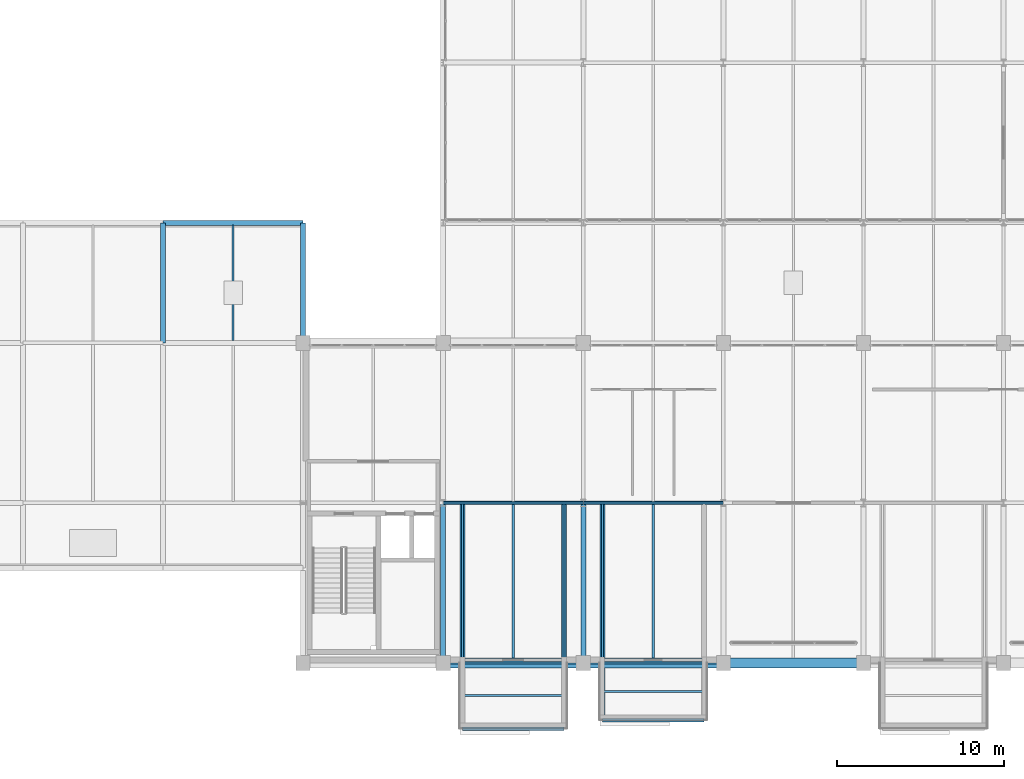
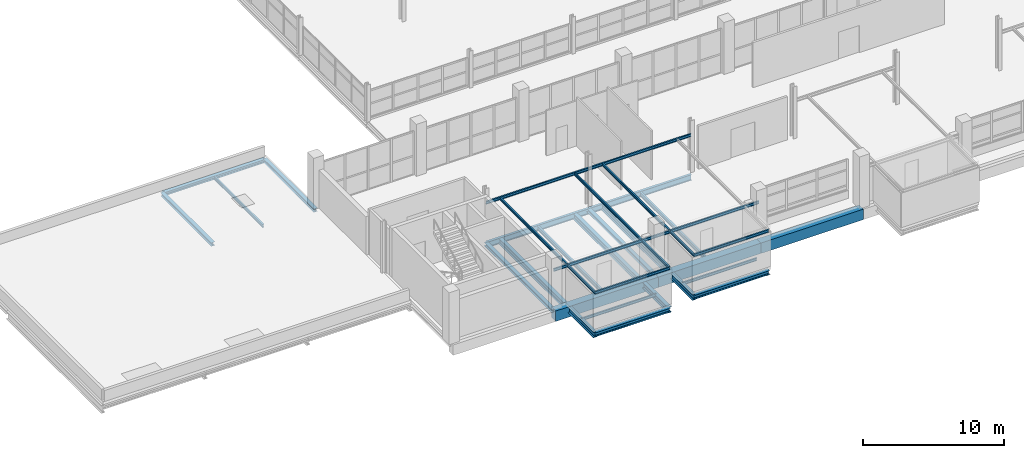
# One storey, part 13 of 103: 29 beams.
"""IFC4 building model written with IfcOpenShell, lengths in metres."""

from ifc_helpers import new_model, si_unit, direction, frame, origin, origin_2d, place, context, subcontext, project, spatial, rectangle, i_section, extrude, material, material_profile, profile_set, type_object, element, save


model = new_model("IFC4")

# Units and contexts
model_context = context("Model", 3, precision=1e-05, world=origin(), true_north=direction((0.0, 1.0)))
body_context = subcontext(model_context, "Body", "Model", "MODEL_VIEW")
ifc_project = project(units=[si_unit("LENGTHUNIT", "METRE"), si_unit("AREAUNIT", "SQUARE_METRE"), si_unit("VOLUMEUNIT", "CUBIC_METRE"), si_unit("PLANEANGLEUNIT", "RADIAN"), si_unit("MASSUNIT", "GRAM", prefix="KILO")], contexts=[model_context])

# Site, building, storey
site_placement = place(None, origin())
site = spatial("IfcSite", under=ifc_project, at=site_placement, CompositionType="ELEMENT")
building_placement = place(site_placement, origin())
building = spatial("IfcBuilding", under=site, at=building_placement, Name="Veltarok Museum of Natural Sciences", CompositionType="ELEMENT")
storey_placement = place(building_placement, frame((0.0, 0.0, 21.89990234375)))
storey = spatial("IfcBuildingStorey", under=building, at=storey_placement, Name="L04", CompositionType="ELEMENT", Elevation=21.89990234375)

# Beams
ifc_material_1 = material(Name="Steel S355J2", Category="steel")
ifc_material_profile_1 = material_profile(ifc_material_1, i_section(OverallWidth=0.300048828125, OverallDepth=0.5, WebThickness=0.014404296875, FlangeThickness=0.028076171875, FilletRadius=0.027099609375, at=origin_2d()), Name="HEB 500")
ifc_profile_set_1 = profile_set([ifc_material_profile_1], Name="Steel S355J2")
beam_type_1 = type_object("IfcBeamType", Name="Cabinet Box Cantilever Girder HEB 500", PredefinedType="BEAM", material=ifc_profile_set_1)
for number, where, z_axis, x_axis, name in (
    (1, (41.14990234375, -3.89990234375, -0.5), (0.0, 1.0, 0.0), (-1.0, 0.0, 0.0), "Cabinet Cantilever Girder DB-19-1"),
    (2, (47.25, -3.89990234375, -0.5), (0.0, 1.0, 0.0), (-1.0, 0.0, 0.0), "Cabinet Cantilever Girder DB-19-2"),
):
    element("IfcBeam", number, at=place(storey_placement, frame(where, z_axis=z_axis, x_axis=x_axis)), inside=storey, type_object=beam_type_1, Name=name, PredefinedType="BEAM", context=body_context, shape_type="SweptSolid", body=[
        extrude(i_section(OverallWidth=0.300048828125, OverallDepth=0.5, WebThickness=0.014404296875, FlangeThickness=0.028076171875, FilletRadius=0.027099609375, at=origin_2d()), origin(), (0.0, 0.0, 1.0), 13.5),
    ])
beam_1_placement = place(storey_placement, frame((49.550048828125, -3.39990234375, -0.5), z_axis=(0.0, 1.0, 0.0), x_axis=(-1.0, 0.0, 0.0)))
element("IfcBeam", 3, at=beam_1_placement, inside=storey, type_object=beam_type_1, Name="Cabinet Cantilever Girder DB-20-1", PredefinedType="BEAM", context=body_context, shape_type="SweptSolid", body=[
    extrude(i_section(OverallWidth=0.300048828125, OverallDepth=0.5, WebThickness=0.014404296875, FlangeThickness=0.028076171875, FilletRadius=0.027099609375, at=origin_2d()), origin(), (0.0, 0.0, 1.0), 13.0),
])
ifc_material_profile_2 = material_profile(ifc_material_1, i_section(OverallWidth=0.1201171875, OverallDepth=0.239990234375, WebThickness=0.006103515625, FlangeThickness=0.009765625, FilletRadius=0.014892578125, at=origin_2d()), Name="IPE 240")
ifc_profile_set_2 = profile_set([ifc_material_profile_2], Name="Steel S355J2")
beam_type_2 = type_object("IfcBeamType", Name="Cabinet Box Secondary Joist IPE 240", PredefinedType="JOIST", material=ifc_profile_set_2)
for number, where, z_axis, x_axis, name in (
    (4, (41.14990234375, -3.89990234375, 3.130126953125), (0.0, 1.0, 0.0), (-1.0, 0.0, 0.0), "Cabinet Roof Rafter DB-19-1"),
    (5, (47.25, -3.89990234375, 3.130126953125), (0.0, 1.0, 0.0), (-1.0, 0.0, 0.0), "Cabinet Roof Rafter DB-19-2"),
):
    element("IfcBeam", number, at=place(storey_placement, frame(where, z_axis=z_axis, x_axis=x_axis)), inside=storey, type_object=beam_type_2, Name=name, PredefinedType="JOIST", context=body_context, shape_type="SweptSolid", body=[
        extrude(i_section(OverallWidth=0.1201171875, OverallDepth=0.239990234375, WebThickness=0.006103515625, FlangeThickness=0.009765625, FilletRadius=0.014892578125, at=origin_2d()), origin(), (0.0, 0.0, 1.0), 13.5),
    ])
for number, where, z_axis, x_axis, name in (
    (6, (40.0, 0.0, 3.130126953125), (1.0, 0.0, 0.0), (0.0, 1.0, 0.0), "Cabinet Roof Tie Beam DB-19-P"),
    (7, (40.0, 9.60009765625, 3.130126953125), (1.0, 0.0, 0.0), (0.0, 1.0, 0.0), "Cabinet Roof Tie Beam DB-19-I"),
):
    element("IfcBeam", number, at=place(storey_placement, frame(where, z_axis=z_axis, x_axis=x_axis)), inside=storey, type_object=beam_type_2, Name=name, PredefinedType="JOIST", context=body_context, shape_type="SweptSolid", body=[
        extrude(i_section(OverallWidth=0.1201171875, OverallDepth=0.239990234375, WebThickness=0.006103515625, FlangeThickness=0.009765625, FilletRadius=0.014892578125, at=origin_2d()), origin(), (0.0, 0.0, 1.0), 8.39990234375),
    ])
for number, where, z_axis, x_axis, name in (
    (8, (41.14990234375, -3.89990234375, 3.130126953125), (1.0, 0.0, 0.0), (0.0, 1.0, 0.0), "Cabinet Roof Tip Header DB-19"),
    (9, (41.14990234375, -1.949951171875, -0.369873046875), (1.0, 0.0, 0.0), (0.0, 1.0, 0.0), "Cabinet Box Joist DB-19"),
):
    element("IfcBeam", number, at=place(storey_placement, frame(where, z_axis=z_axis, x_axis=x_axis)), inside=storey, type_object=beam_type_2, Name=name, PredefinedType="JOIST", context=body_context, shape_type="SweptSolid", body=[
        extrude(i_section(OverallWidth=0.1201171875, OverallDepth=0.239990234375, WebThickness=0.006103515625, FlangeThickness=0.009765625, FilletRadius=0.014892578125, at=origin_2d()), origin(), (0.0, 0.0, 1.0), 6.10009765625),
    ])
beam_2_placement = place(storey_placement, frame((49.550048828125, -3.39990234375, 3.130126953125), z_axis=(0.0, 1.0, 0.0), x_axis=(-1.0, 0.0, 0.0)))
element("IfcBeam", 10, at=beam_2_placement, inside=storey, type_object=beam_type_2, Name="Cabinet Roof Rafter DB-20-1", PredefinedType="JOIST", context=body_context, shape_type="SweptSolid", body=[
    extrude(i_section(OverallWidth=0.1201171875, OverallDepth=0.239990234375, WebThickness=0.006103515625, FlangeThickness=0.009765625, FilletRadius=0.014892578125, at=origin_2d()), origin(), (0.0, 0.0, 1.0), 13.0),
])
for number, where, z_axis, x_axis, name in (
    (11, (48.39990234375, 0.0, 3.130126953125), (1.0, 0.0, 0.0), (0.0, 1.0, 0.0), "Cabinet Roof Tie Beam DB-20-P"),
    (12, (48.39990234375, 9.60009765625, 3.130126953125), (1.0, 0.0, 0.0), (0.0, 1.0, 0.0), "Cabinet Roof Tie Beam DB-20-I"),
):
    element("IfcBeam", number, at=place(storey_placement, frame(where, z_axis=z_axis, x_axis=x_axis)), inside=storey, type_object=beam_type_2, Name=name, PredefinedType="JOIST", context=body_context, shape_type="SweptSolid", body=[
        extrude(i_section(OverallWidth=0.1201171875, OverallDepth=0.239990234375, WebThickness=0.006103515625, FlangeThickness=0.009765625, FilletRadius=0.014892578125, at=origin_2d()), origin(), (0.0, 0.0, 1.0), 8.400146484375),
    ])
for number, where, z_axis, x_axis, name in (
    (13, (49.550048828125, -3.39990234375, 3.130126953125), (1.0, 0.0, 0.0), (0.0, 1.0, 0.0), "Cabinet Roof Tip Header DB-20"),
    (14, (49.550048828125, -1.699951171875, -0.369873046875), (1.0, 0.0, 0.0), (0.0, 1.0, 0.0), "Cabinet Box Joist DB-20"),
):
    element("IfcBeam", number, at=place(storey_placement, frame(where, z_axis=z_axis, x_axis=x_axis)), inside=storey, type_object=beam_type_2, Name=name, PredefinedType="JOIST", context=body_context, shape_type="SweptSolid", body=[
        extrude(i_section(OverallWidth=0.1201171875, OverallDepth=0.239990234375, WebThickness=0.006103515625, FlangeThickness=0.009765625, FilletRadius=0.014892578125, at=origin_2d()), origin(), (0.0, 0.0, 1.0), 6.099853515625),
    ])
ifc_material_profile_3 = material_profile(ifc_material_1, i_section(OverallWidth=0.300048828125, OverallDepth=0.35009765625, WebThickness=0.010009765625, FlangeThickness=0.017578125, FilletRadius=0.027099609375, at=origin_2d()), Name="HEA 360")
ifc_profile_set_3 = profile_set([ifc_material_profile_3], Name="Steel S355J2")
beam_type_3 = type_object("IfcBeamType", Name="Cabinet Box Tip Header HEA 360", PredefinedType="BEAM", material=ifc_profile_set_3)
beam_3_placement = place(storey_placement, frame((41.14990234375, -3.89990234375, -0.4248046875), z_axis=(1.0, 0.0, 0.0), x_axis=(0.0, 1.0, 0.0)))
element("IfcBeam", 15, at=beam_3_placement, inside=storey, type_object=beam_type_3, Name="Cabinet Tip Header DB-19", PredefinedType="BEAM", context=body_context, shape_type="SweptSolid", body=[
    extrude(i_section(OverallWidth=0.300048828125, OverallDepth=0.35009765625, WebThickness=0.010009765625, FlangeThickness=0.017578125, FilletRadius=0.027099609375, at=origin_2d()), origin(), (0.0, 0.0, 1.0), 6.10009765625),
])
beam_4_placement = place(storey_placement, frame((49.550048828125, -3.39990234375, -0.4248046875), z_axis=(1.0, 0.0, 0.0), x_axis=(0.0, 1.0, 0.0)))
element("IfcBeam", 16, at=beam_4_placement, inside=storey, type_object=beam_type_3, Name="Cabinet Tip Header DB-20", PredefinedType="BEAM", context=body_context, shape_type="SweptSolid", body=[
    extrude(i_section(OverallWidth=0.300048828125, OverallDepth=0.35009765625, WebThickness=0.010009765625, FlangeThickness=0.017578125, FilletRadius=0.027099609375, at=origin_2d()), origin(), (0.0, 0.0, 1.0), 6.099853515625),
])
ifc_material_2 = material(Name="Concrete C40/50", Category="concrete")
ifc_material_profile_4 = material_profile(ifc_material_2, rectangle(XDim=0.60009765625, YDim=0.89990234375, at=origin_2d()), Name="RC 600x900")
ifc_profile_set_4 = profile_set([ifc_material_profile_4], Name="Concrete C40/50")
beam_type_4 = type_object("IfcBeamType", Name="Exposed Cabinet Perimeter Spandrel RC 600x900", PredefinedType="SPANDREL", material=ifc_profile_set_4)
beam_5_placement = place(storey_placement, frame((40.0, 0.0, -0.699951171875), z_axis=(1.0, 0.0, 0.0), x_axis=(0.0, 1.0, 0.0)))
element("IfcBeam", 17, at=beam_5_placement, inside=storey, type_object=beam_type_4, Name="Beam BM-SP01 L04 5-6/A", PredefinedType="SPANDREL", context=body_context, shape_type="SweptSolid", body=[
    extrude(rectangle(XDim=0.60009765625, YDim=0.89990234375, at=origin_2d()), origin(), (0.0, 0.0, 1.0), 8.39990234375),
])
beam_6_placement = place(storey_placement, frame((48.39990234375, 0.0, -0.699951171875), z_axis=(1.0, 0.0, 0.0), x_axis=(0.0, 1.0, 0.0)))
element("IfcBeam", 18, at=beam_6_placement, inside=storey, type_object=beam_type_4, Name="Beam BM-SP01 L04 6-7/A", PredefinedType="SPANDREL", context=body_context, shape_type="SweptSolid", body=[
    extrude(rectangle(XDim=0.60009765625, YDim=0.89990234375, at=origin_2d()), origin(), (0.0, 0.0, 1.0), 8.400146484375),
])
beam_7_placement = place(storey_placement, frame((56.800048828125, 0.0, -0.699951171875), z_axis=(1.0, 0.0, 0.0), x_axis=(0.0, 1.0, 0.0)))
element("IfcBeam", 19, at=beam_7_placement, inside=storey, type_object=beam_type_4, Name="Beam BM-SP01 L04 7-8/A", PredefinedType="SPANDREL", context=body_context, shape_type="SweptSolid", body=[
    extrude(rectangle(XDim=0.60009765625, YDim=0.89990234375, at=origin_2d()), origin(), (0.0, 0.0, 1.0), 8.39990234375),
])
ifc_material_profile_5 = material_profile(ifc_material_1, i_section(OverallWidth=0.300048828125, OverallDepth=0.2900390625, WebThickness=0.008544921875, FlangeThickness=0.013916015625, FilletRadius=0.027099609375, at=origin_2d()), Name="HEA 300")
ifc_profile_set_5 = profile_set([ifc_material_profile_5], Name="Steel S355J2")
beam_type_5 = type_object("IfcBeamType", Name="Glazed Hall Edge Spandrel HEA 300", PredefinedType="SPANDREL", material=ifc_profile_set_5)
beam_8_placement = place(storey_placement, frame((23.199951171875, 26.39990234375, -0.39501953125), z_axis=(1.0, 0.0, 0.0), x_axis=(0.0, 1.0, 0.0)))
element("IfcBeam", 20, at=beam_8_placement, inside=storey, type_object=beam_type_5, Name="Beam BM-SP03 L04 3-4/D", PredefinedType="SPANDREL", context=body_context, shape_type="SweptSolid", body=[
    extrude(i_section(OverallWidth=0.300048828125, OverallDepth=0.2900390625, WebThickness=0.008544921875, FlangeThickness=0.013916015625, FilletRadius=0.027099609375, at=origin_2d()), origin(), (0.0, 0.0, 1.0), 8.400146484375),
])
for number, where, z_axis, x_axis, name in (
    (21, (23.199951171875, 19.199951171875, -0.39501953125), (0.0, 1.0, 0.0), (-1.0, 0.0, 0.0), "Beam BM-SP03 L04 3/C-D"),
    (22, (31.60009765625, 19.199951171875, -0.39501953125), (0.0, 1.0, 0.0), (-1.0, 0.0, 0.0), "Beam BM-SP03 L04 4/C-D"),
):
    element("IfcBeam", number, at=place(storey_placement, frame(where, z_axis=z_axis, x_axis=x_axis)), inside=storey, type_object=beam_type_5, Name=name, PredefinedType="SPANDREL", context=body_context, shape_type="SweptSolid", body=[
        extrude(i_section(OverallWidth=0.300048828125, OverallDepth=0.2900390625, WebThickness=0.008544921875, FlangeThickness=0.013916015625, FilletRadius=0.027099609375, at=origin_2d()), origin(), (0.0, 0.0, 1.0), 7.199951171875),
    ])
for number, where, z_axis, x_axis, name in (
    (23, (40.0, 0.0, -0.39501953125), (0.0, 1.0, 0.0), (-1.0, 0.0, 0.0), "Beam BM-SP03 L04 5/A-B"),
    (24, (48.39990234375, 0.0, -0.39501953125), (0.0, 1.0, 0.0), (-1.0, 0.0, 0.0), "Beam BM-SP03 L04 6/A-B"),
):
    element("IfcBeam", number, at=place(storey_placement, frame(where, z_axis=z_axis, x_axis=x_axis)), inside=storey, type_object=beam_type_5, Name=name, PredefinedType="SPANDREL", context=body_context, shape_type="SweptSolid", body=[
        extrude(i_section(OverallWidth=0.300048828125, OverallDepth=0.2900390625, WebThickness=0.008544921875, FlangeThickness=0.013916015625, FilletRadius=0.027099609375, at=origin_2d()), origin(), (0.0, 0.0, 1.0), 9.60009765625),
    ])
ifc_material_profile_6 = material_profile(ifc_material_1, i_section(OverallWidth=0.159912109375, OverallDepth=0.330078125, WebThickness=0.007568359375, FlangeThickness=0.011474609375, FilletRadius=0.01806640625, at=origin_2d()), Name="IPE 330")
ifc_profile_set_6 = profile_set([ifc_material_profile_6], Name="Steel S355J2")
beam_type_6 = type_object("IfcBeamType", Name="Medium-Bay Composite Joist IPE 330", PredefinedType="JOIST", material=ifc_profile_set_6)
for number, where, z_axis, x_axis, name in (
    (25, (44.199951171875, 0.298095703125, -0.414794921875), (0.0, 1.0, 0.0), (-1.0, 0.0, 0.0), "Secondary Joist BM-J02 L04 5-6/A-B.1"),
    (26, (52.60009765625, 0.298095703125, -0.414794921875), (0.0, 1.0, 0.0), (-1.0, 0.0, 0.0), "Secondary Joist BM-J02 L04 6-7/A-B.1"),
):
    element("IfcBeam", number, at=place(storey_placement, frame(where, z_axis=z_axis, x_axis=x_axis)), inside=storey, type_object=beam_type_6, Name=name, PredefinedType="JOIST", context=body_context, shape_type="SweptSolid", body=[
        extrude(i_section(OverallWidth=0.159912109375, OverallDepth=0.330078125, WebThickness=0.007568359375, FlangeThickness=0.011474609375, FilletRadius=0.01806640625, at=origin_2d()), origin(), (0.0, 0.0, 1.0), 9.203857421875),
    ])
ifc_material_profile_7 = material_profile(ifc_material_1, i_section(OverallWidth=0.135009765625, OverallDepth=0.27001953125, WebThickness=0.006591796875, FlangeThickness=0.01025390625, FilletRadius=0.014892578125, at=origin_2d()), Name="IPE 270")
ifc_profile_set_7 = profile_set([ifc_material_profile_7], Name="Steel S355J2")
beam_type_7 = type_object("IfcBeamType", Name="Short-Bay Composite Joist IPE 270", PredefinedType="JOIST", material=ifc_profile_set_7)
beam_9_placement = place(storey_placement, frame((27.39990234375, 19.347900390625, -0.385009765625), z_axis=(0.0, 1.0, 0.0), x_axis=(-1.0, 0.0, 0.0)))
element("IfcBeam", 27, at=beam_9_placement, inside=storey, type_object=beam_type_7, Name="Secondary Joist BM-J04 L04 3-4/C-D.1", PredefinedType="JOIST", context=body_context, shape_type="SweptSolid", body=[
    extrude(i_section(OverallWidth=0.135009765625, OverallDepth=0.27001953125, WebThickness=0.006591796875, FlangeThickness=0.01025390625, FilletRadius=0.014892578125, at=origin_2d()), origin(), (0.0, 0.0, 1.0), 6.904052734375),
])
ifc_material_profile_8 = material_profile(ifc_material_1, i_section(OverallWidth=0.199951171875, OverallDepth=0.5, WebThickness=0.01025390625, FlangeThickness=0.01611328125, FilletRadius=0.02099609375, at=origin_2d()), Name="IPE 500")
ifc_profile_set_8 = profile_set([ifc_material_profile_8], Name="Steel S355J2")
beam_type_8 = type_object("IfcBeamType", Name="Standard Gallery Girder IPE 500", PredefinedType="BEAM", material=ifc_profile_set_8)
beam_10_placement = place(storey_placement, frame((40.0, 9.60009765625, -0.5), z_axis=(1.0, 0.0, 0.0), x_axis=(0.0, 1.0, 0.0)))
element("IfcBeam", 28, at=beam_10_placement, inside=storey, type_object=beam_type_8, Name="Beam BM-G04 L04 5-6/B", PredefinedType="BEAM", context=body_context, shape_type="SweptSolid", body=[
    extrude(i_section(OverallWidth=0.199951171875, OverallDepth=0.5, WebThickness=0.01025390625, FlangeThickness=0.01611328125, FilletRadius=0.02099609375, at=origin_2d()), origin(), (0.0, 0.0, 1.0), 8.39990234375),
])
beam_11_placement = place(storey_placement, frame((48.39990234375, 9.60009765625, -0.5), z_axis=(1.0, 0.0, 0.0), x_axis=(0.0, 1.0, 0.0)))
element("IfcBeam", 29, at=beam_11_placement, inside=storey, type_object=beam_type_8, Name="Beam BM-G04 L04 6-7/B", PredefinedType="BEAM", context=body_context, shape_type="SweptSolid", body=[
    extrude(i_section(OverallWidth=0.199951171875, OverallDepth=0.5, WebThickness=0.01025390625, FlangeThickness=0.01611328125, FilletRadius=0.02099609375, at=origin_2d()), origin(), (0.0, 0.0, 1.0), 8.400146484375),
])

save(model, "model.ifc")
